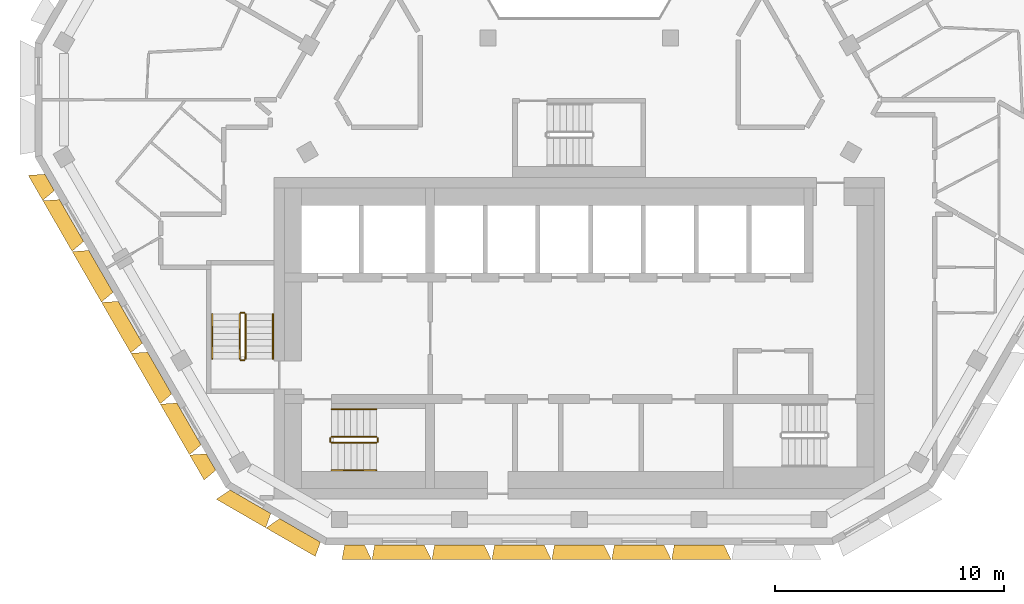
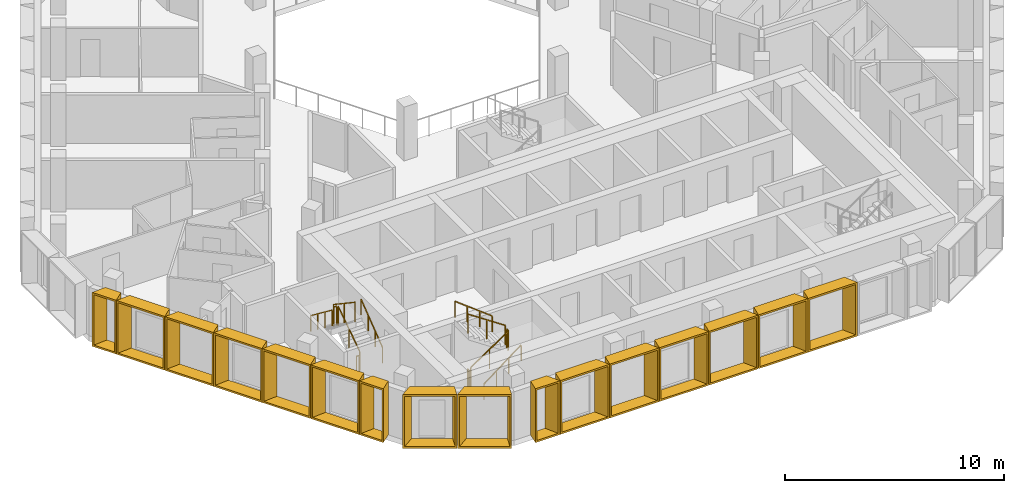
# One storey, part 11 of 15: 16 shading devices, 12 railings.
"""IFC4 building model written with IfcOpenShell, lengths in metres."""

from ifc_helpers import new_model, entity, si_unit, direction, frame, origin, origin_2d, place, context, subcontext, project, spatial, rectangle, extrude, source, transform, mapped, material, type_object, type_shapes, element, save


model = new_model("IFC4")

# Units and contexts
model_context = context("Model", 3, precision=1e-05, world=origin(), true_north=direction((0.0, 1.0)))
body_context = subcontext(model_context, "Body", "Model", "MODEL_VIEW")
ifc_project = project(units=[si_unit("LENGTHUNIT", "METRE"), si_unit("AREAUNIT", "SQUARE_METRE"), si_unit("VOLUMEUNIT", "CUBIC_METRE"), si_unit("PLANEANGLEUNIT", "RADIAN"), si_unit("MASSUNIT", "GRAM", prefix="KILO")], contexts=[model_context])

# Site, building, storey
site_placement = place(None, origin())
site = spatial("IfcSite", under=ifc_project, at=site_placement, CompositionType="ELEMENT")
building_placement = place(site_placement, origin())
building = spatial("IfcBuilding", under=site, at=building_placement, Name="Beryl Residences", CompositionType="ELEMENT")
storey_placement = place(building_placement, frame((0.0, 0.0, 217.800048828125)))
storey = spatial("IfcBuildingStorey", under=building, at=storey_placement, Name="L67", CompositionType="ELEMENT", Elevation=217.800048828125)

# Shading devices
ifc_material_1 = material(Name="Aluminium pale anodised", Category="aluminium")
shading_device_type_1 = type_object("IfcShadingDeviceType", Name="FR128-65B OUTER SKIN frame 650 mm deep, splay 26/10 deg, 1280 x 3000 mm cell", PredefinedType="USERDEFINED", material=ifc_material_1)
cartesian_point_1 = entity("IfcCartesianPoint", [-0.4140625, 0.0])
cartesian_point_2 = entity("IfcCartesianPoint", [-0.324951171875, 0.10009765625])
cartesian_point_3 = entity("IfcCartesianPoint", [-0.73095703125, 0.0])
cartesian_point_4 = entity("IfcCartesianPoint", [-0.64208984375, 0.10009765625])
shared_shape_1 = source(origin(), body_context, "Body", "SweptSolid", [
    entity("IfcExtrudedAreaSolidTapered", entity("IfcArbitraryProfileDefWithVoids", "AREA", None, entity("IfcPolyline", [cartesian_point_1, entity("IfcCartesianPoint", [0.4140625, 0.0]), entity("IfcCartesianPoint", [0.4140625, 3.0]), entity("IfcCartesianPoint", [-0.4140625, 3.0]), cartesian_point_1]), [entity("IfcPolyline", [cartesian_point_2, entity("IfcCartesianPoint", [0.332763671875, 0.10009765625]), entity("IfcCartesianPoint", [0.332763671875, 2.89990234375]), entity("IfcCartesianPoint", [-0.324951171875, 2.89990234375]), cartesian_point_2])]), entity("IfcAxis2Placement3D", entity("IfcCartesianPoint", [0.0, 0.0, 0.0]), entity("IfcDirection", [0.0, 1.0, 0.0]), entity("IfcDirection", [-1.0, 0.0, 0.0])), entity("IfcDirection", [0.0, 0.0, 1.0]), 0.64990234375, entity("IfcArbitraryProfileDefWithVoids", "AREA", None, entity("IfcPolyline", [cartesian_point_3, entity("IfcCartesianPoint", [0.528564453125, 0.0]), entity("IfcCartesianPoint", [0.528564453125, 3.0]), entity("IfcCartesianPoint", [-0.73095703125, 3.0]), cartesian_point_3]), [entity("IfcPolyline", [cartesian_point_4, entity("IfcCartesianPoint", [0.447265625, 0.10009765625]), entity("IfcCartesianPoint", [0.447265625, 2.89990234375]), entity("IfcCartesianPoint", [-0.64208984375, 2.89990234375]), cartesian_point_4])])),
])
type_shapes(shading_device_type_1, [shared_shape_1])
for number, where, z_axis, x_axis, name in (
    (1, (-23.091064453125, -5.2041015625, 0.0), (0.0, 0.0, 1.0), (-0.5, 0.866025403784, 0.0), "FR128-65B frame L67 SW 1"),
    (2, (-16.052978515625, -17.39501953125, 0.0), (0.0, 0.0, 1.0), (-0.5, 0.866025403784, 0.0), "FR128-65B frame L67 SW 7"),
):
    element("IfcShadingDevice", number, at=place(storey_placement, frame(where, z_axis=z_axis, x_axis=x_axis)), inside=storey, type_object=shading_device_type_1, Name=name, ObjectType="OUTER SKIN", PredefinedType="USERDEFINED", context=body_context, shape_type="MappedRepresentation", body=[
        mapped(shared_shape_1, transform((0.0, 0.0, 0.0))),
    ])
ifc_material_2 = material(Name="Aluminium pale anodised", Category="aluminium")
shading_device_type_2 = type_object("IfcShadingDeviceType", Name="FR131-65C OUTER SKIN frame 650 mm deep, splay 10/26 deg, 1310 x 3000 mm cell", PredefinedType="USERDEFINED", material=ifc_material_2)
cartesian_point_5 = entity("IfcCartesianPoint", [-0.428955078125, 0.0])
cartesian_point_6 = entity("IfcCartesianPoint", [-0.34765625, 0.10009765625])
cartesian_point_7 = entity("IfcCartesianPoint", [-0.543701171875, 0.0])
cartesian_point_8 = entity("IfcCartesianPoint", [-0.46240234375, 0.10009765625])
shared_shape_2 = source(origin(), body_context, "Body", "SweptSolid", [
    entity("IfcExtrudedAreaSolidTapered", entity("IfcArbitraryProfileDefWithVoids", "AREA", None, entity("IfcPolyline", [cartesian_point_5, entity("IfcCartesianPoint", [0.428955078125, 0.0]), entity("IfcCartesianPoint", [0.428955078125, 3.0]), entity("IfcCartesianPoint", [-0.428955078125, 3.0]), cartesian_point_5]), [entity("IfcPolyline", [cartesian_point_6, entity("IfcCartesianPoint", [0.340087890625, 0.10009765625]), entity("IfcCartesianPoint", [0.340087890625, 2.89990234375]), entity("IfcCartesianPoint", [-0.34765625, 2.89990234375]), cartesian_point_6])]), entity("IfcAxis2Placement3D", entity("IfcCartesianPoint", [0.0, 0.0, 0.0]), entity("IfcDirection", [0.0, 1.0, 0.0]), entity("IfcDirection", [-1.0, 0.0, 0.0])), entity("IfcDirection", [0.0, 0.0, 1.0]), 0.64990234375, entity("IfcArbitraryProfileDefWithVoids", "AREA", None, entity("IfcPolyline", [cartesian_point_7, entity("IfcCartesianPoint", [0.74609375, 0.0]), entity("IfcCartesianPoint", [0.74609375, 3.0]), entity("IfcCartesianPoint", [-0.543701171875, 3.0]), cartesian_point_7]), [entity("IfcPolyline", [cartesian_point_8, entity("IfcCartesianPoint", [0.656982421875, 0.10009765625]), entity("IfcCartesianPoint", [0.656982421875, 2.89990234375]), entity("IfcCartesianPoint", [-0.46240234375, 2.89990234375]), cartesian_point_8])])),
])
type_shapes(shading_device_type_2, [shared_shape_2])
shading_device_placement = place(storey_placement, frame((-9.797119140625, -21.0, 0.0), z_axis=(0.0, 0.0, 1.0), x_axis=(-1.0, 0.0, 0.0)))
element("IfcShadingDevice", 3, at=shading_device_placement, inside=storey, type_object=shading_device_type_2, Name="FR131-65C frame L67 S 1", ObjectType="OUTER SKIN", PredefinedType="USERDEFINED", context=body_context, shape_type="MappedRepresentation", body=[
    mapped(shared_shape_2, transform((0.0, 0.0, 0.0))),
])
ifc_material_3 = material(Name="Aluminium pale anodised", Category="aluminium")
shading_device_type_3 = type_object("IfcShadingDeviceType", Name="FR250-65B OUTER SKIN frame 650 mm deep, splay 26/10 deg, 2500 x 3000 mm cell", PredefinedType="USERDEFINED", material=ifc_material_3)
cartesian_point_9 = entity("IfcCartesianPoint", [-1.02392578125, 0.0])
cartesian_point_10 = entity("IfcCartesianPoint", [-0.93505859375, 0.10009765625])
cartesian_point_11 = entity("IfcCartesianPoint", [-1.341064453125, 0.0])
cartesian_point_12 = entity("IfcCartesianPoint", [-1.251953125, 0.10009765625])
shared_shape_3 = source(origin(), body_context, "Body", "SweptSolid", [
    entity("IfcExtrudedAreaSolidTapered", entity("IfcArbitraryProfileDefWithVoids", "AREA", None, entity("IfcPolyline", [cartesian_point_9, entity("IfcCartesianPoint", [1.02392578125, 0.0]), entity("IfcCartesianPoint", [1.02392578125, 3.0]), entity("IfcCartesianPoint", [-1.02392578125, 3.0]), cartesian_point_9]), [entity("IfcPolyline", [cartesian_point_10, entity("IfcCartesianPoint", [0.94287109375, 0.10009765625]), entity("IfcCartesianPoint", [0.94287109375, 2.89990234375]), entity("IfcCartesianPoint", [-0.93505859375, 2.89990234375]), cartesian_point_10])]), entity("IfcAxis2Placement3D", entity("IfcCartesianPoint", [0.0, 0.0, 0.0]), entity("IfcDirection", [0.0, 1.0, 0.0]), entity("IfcDirection", [-1.0, 0.0, 0.0])), entity("IfcDirection", [0.0, 0.0, 1.0]), 0.64990234375, entity("IfcArbitraryProfileDefWithVoids", "AREA", None, entity("IfcPolyline", [cartesian_point_11, entity("IfcCartesianPoint", [1.138671875, 0.0]), entity("IfcCartesianPoint", [1.138671875, 3.0]), entity("IfcCartesianPoint", [-1.341064453125, 3.0]), cartesian_point_11]), [entity("IfcPolyline", [cartesian_point_12, entity("IfcCartesianPoint", [1.057373046875, 0.10009765625]), entity("IfcCartesianPoint", [1.057373046875, 2.89990234375]), entity("IfcCartesianPoint", [-1.251953125, 2.89990234375]), cartesian_point_12])])),
])
type_shapes(shading_device_type_3, [shared_shape_3])
for number, where, z_axis, x_axis, name in (
    (4, (-14.33203125, -19.125, 0.0), (0.0, 0.0, 1.0), (-0.866025403784, 0.5, 0.0), "FR250-65B frame L67 SW-S 1"),
    (5, (-12.16796875, -20.375, 0.0), (0.0, 0.0, 1.0), (-0.866025403784, 0.5, 0.0), "FR250-65B frame L67 SW-S 2"),
):
    element("IfcShadingDevice", number, at=place(storey_placement, frame(where, z_axis=z_axis, x_axis=x_axis)), inside=storey, type_object=shading_device_type_3, Name=name, ObjectType="OUTER SKIN", PredefinedType="USERDEFINED", context=body_context, shape_type="MappedRepresentation", body=[
        mapped(shared_shape_3, transform((0.0, 0.0, 0.0))),
    ])
ifc_material_4 = material(Name="Aluminium pale anodised", Category="aluminium")
shading_device_type_4 = type_object("IfcShadingDeviceType", Name="FR256-65B OUTER SKIN frame 650 mm deep, splay 26/10 deg, 2560 x 3000 mm cell", PredefinedType="USERDEFINED", material=ifc_material_4)
cartesian_point_13 = entity("IfcCartesianPoint", [-1.053955078125, 0.0])
cartesian_point_14 = entity("IfcCartesianPoint", [-0.965087890625, 0.10009765625])
cartesian_point_15 = entity("IfcCartesianPoint", [-1.37109375, 0.0])
cartesian_point_16 = entity("IfcCartesianPoint", [-1.281982421875, 0.10009765625])
shared_shape_4 = source(origin(), body_context, "Body", "SweptSolid", [
    entity("IfcExtrudedAreaSolidTapered", entity("IfcArbitraryProfileDefWithVoids", "AREA", None, entity("IfcPolyline", [cartesian_point_13, entity("IfcCartesianPoint", [1.053955078125, 0.0]), entity("IfcCartesianPoint", [1.053955078125, 3.0]), entity("IfcCartesianPoint", [-1.053955078125, 3.0]), cartesian_point_13]), [entity("IfcPolyline", [cartesian_point_14, entity("IfcCartesianPoint", [0.97265625, 0.10009765625]), entity("IfcCartesianPoint", [0.97265625, 2.89990234375]), entity("IfcCartesianPoint", [-0.965087890625, 2.89990234375]), cartesian_point_14])]), entity("IfcAxis2Placement3D", entity("IfcCartesianPoint", [0.0, 0.0, 0.0]), entity("IfcDirection", [0.0, 1.0, 0.0]), entity("IfcDirection", [-1.0, 0.0, 0.0])), entity("IfcDirection", [0.0, 0.0, 1.0]), 0.64990234375, entity("IfcArbitraryProfileDefWithVoids", "AREA", None, entity("IfcPolyline", [cartesian_point_15, entity("IfcCartesianPoint", [1.168701171875, 0.0]), entity("IfcCartesianPoint", [1.168701171875, 3.0]), entity("IfcCartesianPoint", [-1.37109375, 3.0]), cartesian_point_15]), [entity("IfcPolyline", [cartesian_point_16, entity("IfcCartesianPoint", [1.08740234375, 0.10009765625]), entity("IfcCartesianPoint", [1.08740234375, 2.89990234375]), entity("IfcCartesianPoint", [-1.281982421875, 2.89990234375]), cartesian_point_16])])),
])
type_shapes(shading_device_type_4, [shared_shape_4])
for number, where, z_axis, x_axis, name in (
    (6, (-22.132080078125, -6.865966796875, 0.0), (0.0, 0.0, 1.0), (-0.5, 0.866025403784, 0.0), "FR256-65B frame L67 SW 2"),
    (7, (-20.85205078125, -9.0830078125, 0.0), (0.0, 0.0, 1.0), (-0.5, 0.866025403784, 0.0), "FR256-65B frame L67 SW 3"),
    (8, (-19.572021484375, -11.300048828125, 0.0), (0.0, 0.0, 1.0), (-0.5, 0.866025403784, 0.0), "FR256-65B frame L67 SW 4"),
    (9, (-18.29296875, -13.51611328125, 0.0), (0.0, 0.0, 1.0), (-0.5, 0.866025403784, 0.0), "FR256-65B frame L67 SW 5"),
    (10, (-17.012939453125, -15.73291015625, 0.0), (0.0, 0.0, 1.0), (-0.5, 0.866025403784, 0.0), "FR256-65B frame L67 SW 6"),
):
    element("IfcShadingDevice", number, at=place(storey_placement, frame(where, z_axis=z_axis, x_axis=x_axis)), inside=storey, type_object=shading_device_type_4, Name=name, ObjectType="OUTER SKIN", PredefinedType="USERDEFINED", context=body_context, shape_type="MappedRepresentation", body=[
        mapped(shared_shape_4, transform((0.0, 0.0, 0.0))),
    ])
ifc_material_5 = material(Name="Aluminium pale anodised", Category="aluminium")
shading_device_type_5 = type_object("IfcShadingDeviceType", Name="FR261-65C OUTER SKIN frame 650 mm deep, splay 10/26 deg, 2610 x 3000 mm cell", PredefinedType="USERDEFINED", material=ifc_material_5)
cartesian_point_17 = entity("IfcCartesianPoint", [-1.0791015625, 0.0])
cartesian_point_18 = entity("IfcCartesianPoint", [-0.997802734375, 0.10009765625])
cartesian_point_19 = entity("IfcCartesianPoint", [-1.193603515625, 0.0])
cartesian_point_20 = entity("IfcCartesianPoint", [-1.1123046875, 0.10009765625])
shared_shape_5 = source(origin(), body_context, "Body", "SweptSolid", [
    entity("IfcExtrudedAreaSolidTapered", entity("IfcArbitraryProfileDefWithVoids", "AREA", None, entity("IfcPolyline", [cartesian_point_17, entity("IfcCartesianPoint", [1.0791015625, 0.0]), entity("IfcCartesianPoint", [1.0791015625, 3.0]), entity("IfcCartesianPoint", [-1.0791015625, 3.0]), cartesian_point_17]), [entity("IfcPolyline", [cartesian_point_18, entity("IfcCartesianPoint", [0.989990234375, 0.10009765625]), entity("IfcCartesianPoint", [0.989990234375, 2.89990234375]), entity("IfcCartesianPoint", [-0.997802734375, 2.89990234375]), cartesian_point_18])]), entity("IfcAxis2Placement3D", entity("IfcCartesianPoint", [0.0, 0.0, 0.0]), entity("IfcDirection", [0.0, 1.0, 0.0]), entity("IfcDirection", [-1.0, 0.0, 0.0])), entity("IfcDirection", [0.0, 0.0, 1.0]), 0.64990234375, entity("IfcArbitraryProfileDefWithVoids", "AREA", None, entity("IfcPolyline", [cartesian_point_19, entity("IfcCartesianPoint", [1.39599609375, 0.0]), entity("IfcCartesianPoint", [1.39599609375, 3.0]), entity("IfcCartesianPoint", [-1.193603515625, 3.0]), cartesian_point_19]), [entity("IfcPolyline", [cartesian_point_20, entity("IfcCartesianPoint", [1.30712890625, 0.10009765625]), entity("IfcCartesianPoint", [1.30712890625, 2.89990234375]), entity("IfcCartesianPoint", [-1.1123046875, 2.89990234375]), cartesian_point_20])])),
])
type_shapes(shading_device_type_5, [shared_shape_5])
for number, where, z_axis, x_axis, name in (
    (11, (-7.8369140625, -21.0, 0.0), (0.0, 0.0, 1.0), (-1.0, 0.0, 0.0), "FR261-65C frame L67 S 2"),
    (12, (-5.22509765625, -21.0, 0.0), (0.0, 0.0, 1.0), (-1.0, 0.0, 0.0), "FR261-65C frame L67 S 3"),
    (13, (-2.612060546875, -21.0, 0.0), (0.0, 0.0, 1.0), (-1.0, 0.0, 0.0), "FR261-65C frame L67 S 4"),
    (14, (0.0, -21.0, 0.0), (0.0, 0.0, 1.0), (-1.0, 0.0, 0.0), "FR261-65C frame L67 S 5"),
    (15, (2.612060546875, -21.0, 0.0), (0.0, 0.0, 1.0), (-1.0, 0.0, 0.0), "FR261-65C frame L67 S 6"),
    (16, (5.22509765625, -21.0, 0.0), (0.0, 0.0, 1.0), (-1.0, 0.0, 0.0), "FR261-65C frame L67 S 7"),
):
    element("IfcShadingDevice", number, at=place(storey_placement, frame(where, z_axis=z_axis, x_axis=x_axis)), inside=storey, type_object=shading_device_type_5, Name=name, ObjectType="OUTER SKIN", PredefinedType="USERDEFINED", context=body_context, shape_type="MappedRepresentation", body=[
        mapped(shared_shape_5, transform((0.0, 0.0, 0.0))),
    ])

# Railings
ifc_material_6 = material(Name="Stainless steel balustrade with glass infill", Category="steel")
railing_type_1 = type_object("IfcRailingType", Name="SG1 stair guard 1100 mm", PredefinedType="GUARDRAIL", material=ifc_material_6)
railing_1_placement = place(storey_placement, frame((-10.800048828125, -16.550048828125, 0.1875)))
element("IfcRailing", 17, at=railing_1_placement, inside=storey, type_object=railing_type_1, Name="L67 ST-1 stair guard 1", PredefinedType="GUARDRAIL", context=body_context, shape_type="SweptSolid", body=[
    extrude(rectangle(XDim=0.048095703125, YDim=0.048095703125, at=origin_2d()), frame((0.0, 0.0, 1.076171875), z_axis=(0.830902050051, 0.0, 0.556418712142), x_axis=(0.0, 1.0, 0.0)), (0.0, 0.0, 1.0), 2.35888671875),
    extrude(rectangle(XDim=0.0419921875, YDim=0.0419921875, at=origin_2d()), origin(), (0.0, 0.0, 1.0), 1.052001953125),
    extrude(rectangle(XDim=0.0419921875, YDim=0.0419921875, at=origin_2d()), frame((0.97998046875, 0.0, 0.65625)), (0.0, 0.0, 1.0), 1.052001953125),
    extrude(rectangle(XDim=0.0419921875, YDim=0.0419921875, at=origin_2d()), frame((1.9599609375, 0.0, 1.3125)), (0.0, 0.0, 1.0), 1.052001953125),
])
railing_2_placement = place(storey_placement, frame((-8.7900390625, -16.5, 1.5)))
element("IfcRailing", 18, at=railing_2_placement, inside=storey, type_object=railing_type_1, Name="L67 ST-1 stair guard 2", PredefinedType="GUARDRAIL", context=body_context, shape_type="SweptSolid", body=[
    extrude(rectangle(XDim=0.048095703125, YDim=0.048095703125, at=origin_2d()), frame((0.0, 0.0, 1.076171875), z_axis=(0.0, 1.0, 0.0), x_axis=(-1.0, 0.0, 0.0)), (0.0, 0.0, 1.0), 0.14990234375),
    extrude(rectangle(XDim=0.0419921875, YDim=0.0419921875, at=origin_2d()), origin(), (0.0, 0.0, 1.0), 1.052001953125),
    extrude(rectangle(XDim=0.0419921875, YDim=0.0419921875, at=origin_2d()), frame((0.0, 0.14990234375, 0.0)), (0.0, 0.0, 1.0), 1.052001953125),
])
railing_3_placement = place(storey_placement, frame((-8.840087890625, -16.300048828125, 1.6875)))
element("IfcRailing", 19, at=railing_3_placement, inside=storey, type_object=railing_type_1, Name="L67 ST-1 stair guard 3", PredefinedType="GUARDRAIL", context=body_context, shape_type="SweptSolid", body=[
    extrude(rectangle(XDim=0.048095703125, YDim=0.048095703125, at=origin_2d()), frame((0.0, 0.0, 1.076171875), z_axis=(-0.830902050051, 0.0, 0.556418712142), x_axis=(0.0, -1.0, 0.0)), (0.0, 0.0, 1.0), 2.35888671875),
    extrude(rectangle(XDim=0.0419921875, YDim=0.0419921875, at=origin_2d()), origin(), (0.0, 0.0, 1.0), 1.052001953125),
    extrude(rectangle(XDim=0.0419921875, YDim=0.0419921875, at=origin_2d()), frame((-0.97998046875, 0.0, 0.65625)), (0.0, 0.0, 1.0), 1.052001953125),
    extrude(rectangle(XDim=0.0419921875, YDim=0.0419921875, at=origin_2d()), frame((-1.9599609375, 0.0, 1.3125)), (0.0, 0.0, 1.0), 1.052001953125),
])
railing_4_placement = place(storey_placement, frame((-10.85009765625, -16.5, 0.0)))
element("IfcRailing", 20, at=railing_4_placement, inside=storey, type_object=railing_type_1, Name="L67 ST-1 stair guard 4", PredefinedType="GUARDRAIL", context=body_context, shape_type="SweptSolid", body=[
    extrude(rectangle(XDim=0.048095703125, YDim=0.048095703125, at=origin_2d()), frame((0.0, 0.0, 1.076171875), z_axis=(0.0, 1.0, 0.0), x_axis=(-1.0, 0.0, 0.0)), (0.0, 0.0, 1.0), 0.14990234375),
    extrude(rectangle(XDim=0.0419921875, YDim=0.0419921875, at=origin_2d()), origin(), (0.0, 0.0, 1.0), 1.052001953125),
    extrude(rectangle(XDim=0.0419921875, YDim=0.0419921875, at=origin_2d()), frame((0.0, 0.14990234375, 0.0)), (0.0, 0.0, 1.0), 1.052001953125),
])
railing_5_placement = place(storey_placement, frame((-14.550048828125, -12.89990234375, 0.1875)))
element("IfcRailing", 21, at=railing_5_placement, inside=storey, type_object=railing_type_1, Name="L67 ST-2 stair guard 1", PredefinedType="GUARDRAIL", context=body_context, shape_type="SweptSolid", body=[
    extrude(rectangle(XDim=0.048095703125, YDim=0.048095703125, at=origin_2d()), frame((0.0, 0.0, 1.076171875), z_axis=(0.0, 0.830902050051, 0.556418712142), x_axis=(-1.0, 0.0, 0.0)), (0.0, 0.0, 1.0), 2.35888671875),
    extrude(rectangle(XDim=0.0419921875, YDim=0.0419921875, at=origin_2d()), origin(), (0.0, 0.0, 1.0), 1.052001953125),
    extrude(rectangle(XDim=0.0419921875, YDim=0.0419921875, at=origin_2d()), frame((0.0, 0.97998046875, 0.65625)), (0.0, 0.0, 1.0), 1.052001953125),
    extrude(rectangle(XDim=0.0419921875, YDim=0.0419921875, at=origin_2d()), frame((0.0, 1.9599609375, 1.3125)), (0.0, 0.0, 1.0), 1.052001953125),
])
railing_6_placement = place(storey_placement, frame((-14.60009765625, -10.889892578125, 1.5)))
element("IfcRailing", 22, at=railing_6_placement, inside=storey, type_object=railing_type_1, Name="L67 ST-2 stair guard 2", PredefinedType="GUARDRAIL", context=body_context, shape_type="SweptSolid", body=[
    extrude(rectangle(XDim=0.048095703125, YDim=0.048095703125, at=origin_2d()), frame((0.0, 0.0, 1.076171875), z_axis=(-1.0, 0.0, 0.0), x_axis=(0.0, -1.0, 0.0)), (0.0, 0.0, 1.0), 0.14990234375),
    extrude(rectangle(XDim=0.0419921875, YDim=0.0419921875, at=origin_2d()), origin(), (0.0, 0.0, 1.0), 1.052001953125),
    extrude(rectangle(XDim=0.0419921875, YDim=0.0419921875, at=origin_2d()), frame((-0.14990234375, 0.0, 0.0)), (0.0, 0.0, 1.0), 1.052001953125),
])
railing_7_placement = place(storey_placement, frame((-14.800048828125, -10.93994140625, 1.6875)))
element("IfcRailing", 23, at=railing_7_placement, inside=storey, type_object=railing_type_1, Name="L67 ST-2 stair guard 3", PredefinedType="GUARDRAIL", context=body_context, shape_type="SweptSolid", body=[
    extrude(rectangle(XDim=0.048095703125, YDim=0.048095703125, at=origin_2d()), frame((0.0, 0.0, 1.076171875), z_axis=(0.0, -0.830902050051, 0.556418712142), x_axis=(1.0, 0.0, 0.0)), (0.0, 0.0, 1.0), 2.35888671875),
    extrude(rectangle(XDim=0.0419921875, YDim=0.0419921875, at=origin_2d()), origin(), (0.0, 0.0, 1.0), 1.052001953125),
    extrude(rectangle(XDim=0.0419921875, YDim=0.0419921875, at=origin_2d()), frame((0.0, -0.97998046875, 0.65625)), (0.0, 0.0, 1.0), 1.052001953125),
    extrude(rectangle(XDim=0.0419921875, YDim=0.0419921875, at=origin_2d()), frame((0.0, -1.9599609375, 1.3125)), (0.0, 0.0, 1.0), 1.052001953125),
])
railing_8_placement = place(storey_placement, frame((-14.60009765625, -12.949951171875, 0.0)))
element("IfcRailing", 24, at=railing_8_placement, inside=storey, type_object=railing_type_1, Name="L67 ST-2 stair guard 4", PredefinedType="GUARDRAIL", context=body_context, shape_type="SweptSolid", body=[
    extrude(rectangle(XDim=0.048095703125, YDim=0.048095703125, at=origin_2d()), frame((0.0, 0.0, 1.076171875), z_axis=(-1.0, 0.0, 0.0), x_axis=(0.0, -1.0, 0.0)), (0.0, 0.0, 1.0), 0.14990234375),
    extrude(rectangle(XDim=0.0419921875, YDim=0.0419921875, at=origin_2d()), origin(), (0.0, 0.0, 1.0), 1.052001953125),
    extrude(rectangle(XDim=0.0419921875, YDim=0.0419921875, at=origin_2d()), frame((-0.14990234375, 0.0, 0.0)), (0.0, 0.0, 1.0), 1.052001953125),
])
ifc_material_7 = material(Name="Stainless steel handrail", Category="steel")
railing_type_2 = type_object("IfcRailingType", Name="SRL1 stair handrail 900 mm", PredefinedType="HANDRAIL", material=ifc_material_7)
railing_9_placement = place(storey_placement, frame((-10.800048828125, -17.75, 0.1875)))
element("IfcRailing", 25, at=railing_9_placement, inside=storey, type_object=railing_type_2, Name="L67 ST-1 stair handrail 1", PredefinedType="HANDRAIL", context=body_context, shape_type="SweptSolid", body=[
    extrude(rectangle(XDim=0.048095703125, YDim=0.048095703125, at=origin_2d()), frame((0.0, 0.0, 0.8759765625), z_axis=(0.794121922505, 0.0, 0.607758481798), x_axis=(0.0, 1.0, 0.0)), (0.0, 0.0, 1.0), 2.468017578125),
    extrude(rectangle(XDim=0.0419921875, YDim=0.0419921875, at=origin_2d()), origin(), (0.0, 0.0, 1.0), 0.851806640625),
    extrude(rectangle(XDim=0.0419921875, YDim=0.0419921875, at=origin_2d()), frame((0.6533203125, 0.0, 0.5)), (0.0, 0.0, 1.0), 0.851806640625),
    extrude(rectangle(XDim=0.0419921875, YDim=0.0419921875, at=origin_2d()), frame((1.306640625, 0.0, 1.0)), (0.0, 0.0, 1.0), 0.851806640625),
    extrude(rectangle(XDim=0.0419921875, YDim=0.0419921875, at=origin_2d()), frame((1.9599609375, 0.0, 1.5)), (0.0, 0.0, 1.0), 0.851806640625),
])
railing_10_placement = place(storey_placement, frame((-8.840087890625, -15.10009765625, 1.6875)))
element("IfcRailing", 26, at=railing_10_placement, inside=storey, type_object=railing_type_2, Name="L67 ST-1 stair handrail 2", PredefinedType="HANDRAIL", context=body_context, shape_type="SweptSolid", body=[
    extrude(rectangle(XDim=0.048095703125, YDim=0.048095703125, at=origin_2d()), frame((0.0, 0.0, 0.8759765625), z_axis=(-0.794121922505, 0.0, 0.607758481798), x_axis=(0.0, -1.0, 0.0)), (0.0, 0.0, 1.0), 2.468017578125),
    extrude(rectangle(XDim=0.0419921875, YDim=0.0419921875, at=origin_2d()), origin(), (0.0, 0.0, 1.0), 0.851806640625),
    extrude(rectangle(XDim=0.0419921875, YDim=0.0419921875, at=origin_2d()), frame((-0.6533203125, 0.0, 0.5)), (0.0, 0.0, 1.0), 0.851806640625),
    extrude(rectangle(XDim=0.0419921875, YDim=0.0419921875, at=origin_2d()), frame((-1.306640625, 0.0, 1.0)), (0.0, 0.0, 1.0), 0.851806640625),
    extrude(rectangle(XDim=0.0419921875, YDim=0.0419921875, at=origin_2d()), frame((-1.9599609375, 0.0, 1.5)), (0.0, 0.0, 1.0), 0.851806640625),
])
railing_11_placement = place(storey_placement, frame((-13.35009765625, -12.89990234375, 0.1875)))
element("IfcRailing", 27, at=railing_11_placement, inside=storey, type_object=railing_type_2, Name="L67 ST-2 stair handrail 1", PredefinedType="HANDRAIL", context=body_context, shape_type="SweptSolid", body=[
    extrude(rectangle(XDim=0.048095703125, YDim=0.048095703125, at=origin_2d()), frame((0.0, 0.0, 0.8759765625), z_axis=(0.0, 0.794121922505, 0.607758481798), x_axis=(-1.0, 0.0, 0.0)), (0.0, 0.0, 1.0), 2.468017578125),
    extrude(rectangle(XDim=0.0419921875, YDim=0.0419921875, at=origin_2d()), origin(), (0.0, 0.0, 1.0), 0.851806640625),
    extrude(rectangle(XDim=0.0419921875, YDim=0.0419921875, at=origin_2d()), frame((0.0, 0.6533203125, 0.5)), (0.0, 0.0, 1.0), 0.851806640625),
    extrude(rectangle(XDim=0.0419921875, YDim=0.0419921875, at=origin_2d()), frame((0.0, 1.306640625, 1.0)), (0.0, 0.0, 1.0), 0.851806640625),
    extrude(rectangle(XDim=0.0419921875, YDim=0.0419921875, at=origin_2d()), frame((0.0, 1.9599609375, 1.5)), (0.0, 0.0, 1.0), 0.851806640625),
])
railing_12_placement = place(storey_placement, frame((-16.0, -10.93994140625, 1.6875)))
element("IfcRailing", 28, at=railing_12_placement, inside=storey, type_object=railing_type_2, Name="L67 ST-2 stair handrail 2", PredefinedType="HANDRAIL", context=body_context, shape_type="SweptSolid", body=[
    extrude(rectangle(XDim=0.048095703125, YDim=0.048095703125, at=origin_2d()), frame((0.0, 0.0, 0.8759765625), z_axis=(0.0, -0.794121922505, 0.607758481798), x_axis=(1.0, 0.0, 0.0)), (0.0, 0.0, 1.0), 2.468017578125),
    extrude(rectangle(XDim=0.0419921875, YDim=0.0419921875, at=origin_2d()), origin(), (0.0, 0.0, 1.0), 0.851806640625),
    extrude(rectangle(XDim=0.0419921875, YDim=0.0419921875, at=origin_2d()), frame((0.0, -0.6533203125, 0.5)), (0.0, 0.0, 1.0), 0.851806640625),
    extrude(rectangle(XDim=0.0419921875, YDim=0.0419921875, at=origin_2d()), frame((0.0, -1.306640625, 1.0)), (0.0, 0.0, 1.0), 0.851806640625),
    extrude(rectangle(XDim=0.0419921875, YDim=0.0419921875, at=origin_2d()), frame((0.0, -1.9599609375, 1.5)), (0.0, 0.0, 1.0), 0.851806640625),
])

save(model, "model.ifc")
